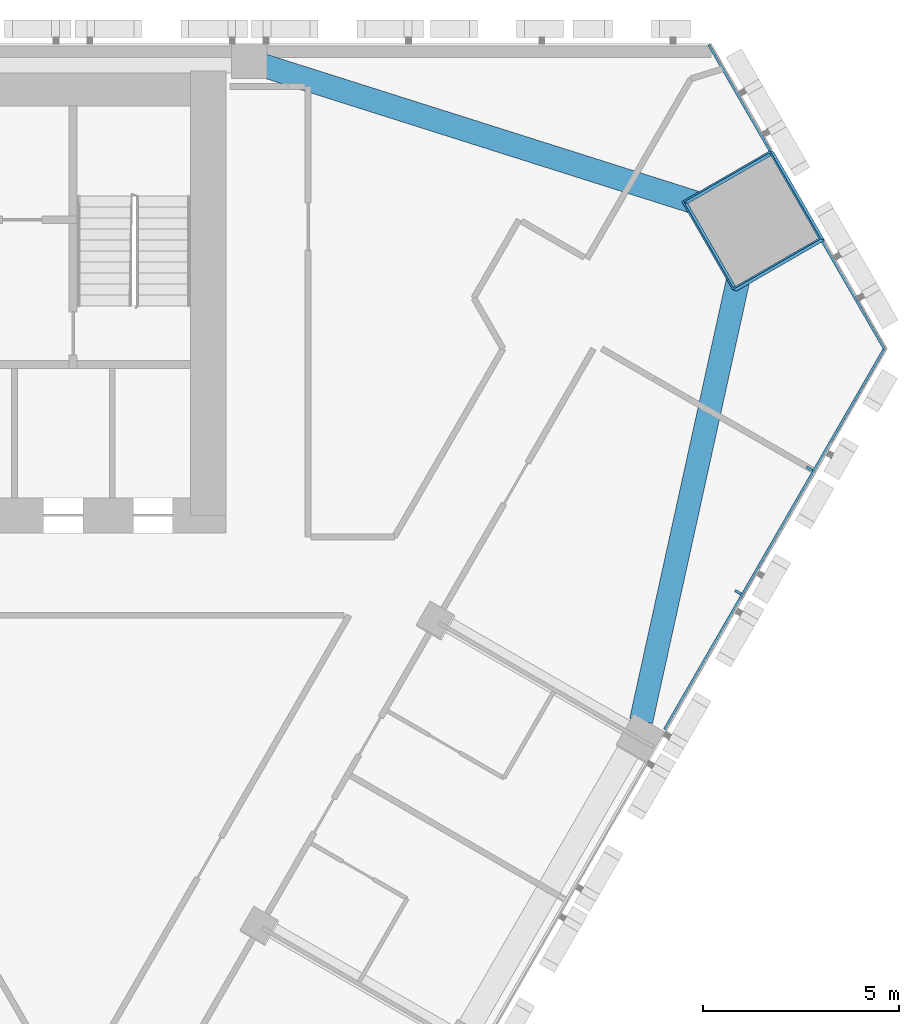
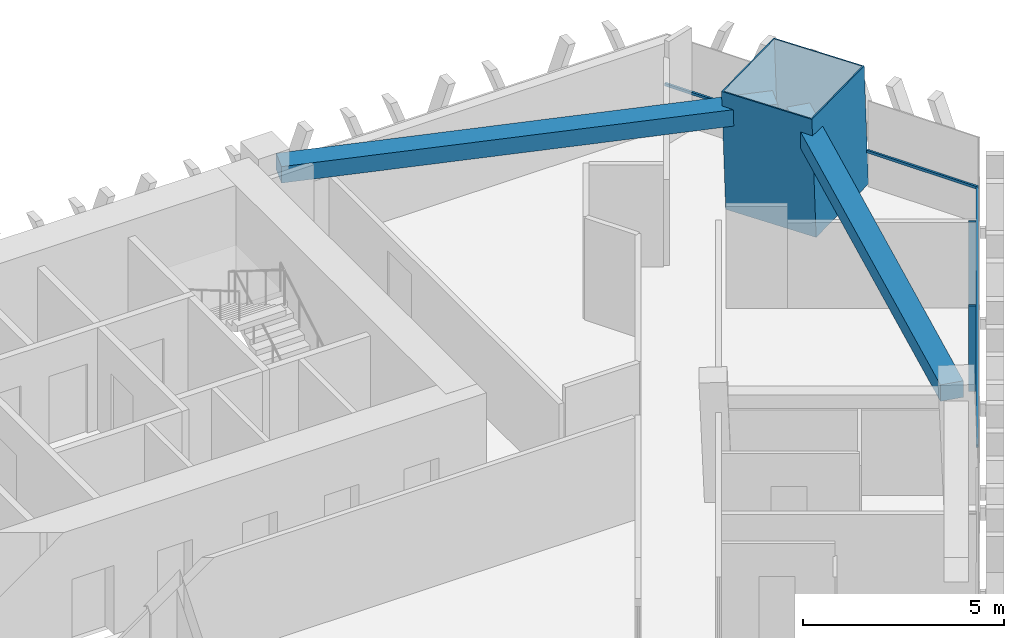
# One storey, part 7 of 16: 6 members, 2 beams, 2 elements without a shape of their own.
"""IFC4 building model written with IfcOpenShell, lengths in metres."""

from ifc_helpers import new_model, si_unit, direction, frame, origin, origin_2d, place, context, subcontext, project, spatial, rectangle, hollow_rectangle, extrude, material, layer, layer_set, material_profile, profile_set, type_object, element, aggregate, save


model = new_model("IFC4")

# Units and contexts
model_context = context("Model", 3, precision=1e-05, world=origin(), true_north=direction((0.0, 1.0)))
body_context = subcontext(model_context, "Body", "Model", "MODEL_VIEW")
ifc_project = project(units=[si_unit("LENGTHUNIT", "METRE"), si_unit("AREAUNIT", "SQUARE_METRE"), si_unit("VOLUMEUNIT", "CUBIC_METRE"), si_unit("PLANEANGLEUNIT", "RADIAN"), si_unit("MASSUNIT", "GRAM", prefix="KILO")], contexts=[model_context])

# Site, building, storey
site_placement = place(None, origin())
site = spatial("IfcSite", under=ifc_project, at=site_placement, CompositionType="ELEMENT")
building_placement = place(site_placement, origin())
building = spatial("IfcBuilding", under=site, at=building_placement, Name="Altiplano Prism Tower", CompositionType="ELEMENT")
storey_placement = place(building_placement, frame((0.0, 0.0, 73.800048828125)))
storey = spatial("IfcBuildingStorey", under=building, at=storey_placement, Name="L18", CompositionType="ELEMENT", Elevation=73.800048828125)

# Curtain wall, members
ifc_material_1 = material(Name="Aluminium and glass", Category="aluminium")
ifc_layer = layer(ifc_material_1, 0.280029296875)
ifc_layer_set = layer_set([ifc_layer], Name="Aluminium and glass")
curtain_wall_type = type_object("IfcCurtainWallType", Name="CW1 typical co-living unitised curtain wall", PredefinedType="NOTDEFINED", material=ifc_layer_set)
curtain_wall_1_placement = place(storey_placement, origin())
curtain_wall_1 = element("IfcCurtainWall", 1, at=curtain_wall_1_placement, inside=storey, type_object=curtain_wall_type, Name="CW1 curtain wall south-east face L18", PredefinedType="NOTDEFINED")
ifc_material_2 = material(Name="Aluminium", Category="aluminium")
ifc_material_profile_1 = material_profile(ifc_material_2, rectangle(XDim=0.179931640625, YDim=0.06494140625, at=origin_2d()), Name="CW1 mullion 65 x 180")
ifc_profile_set_1 = profile_set([ifc_material_profile_1], Name="Aluminium")
member_type_1 = type_object("IfcMemberType", Name="CW1 mullion 65 x 180", PredefinedType="MULLION", material=ifc_profile_set_1)
member_1_placement = place(storey_placement, frame((110.982177734375, 90.984619140625, 0.0), z_axis=(0.0, 0.0, 1.0), x_axis=(-0.866025402161, 0.500000002811, 0.0)))
member_1 = element("IfcMember", 2, at=member_1_placement, type_object=member_type_1, Name="CW1 mullion", PredefinedType="MULLION", context=body_context, shape_type="SweptSolid", body=[
    extrude(rectangle(XDim=0.179931640625, YDim=0.06494140625, at=origin_2d()), origin(), (0.0, 0.0, 1.0), 2.599853515625),
])
member_2_placement = place(storey_placement, frame((112.8056640625, 94.142822265625, 0.0), z_axis=(0.0, 0.0, 1.0), x_axis=(-0.866025402161, 0.500000002811, 0.0)))
member_2 = element("IfcMember", 3, at=member_2_placement, type_object=member_type_1, Name="CW1 mullion", PredefinedType="MULLION", context=body_context, shape_type="SweptSolid", body=[
    extrude(rectangle(XDim=0.179931640625, YDim=0.06494140625, at=origin_2d()), origin(), (0.0, 0.0, 1.0), 2.599853515625),
])
ifc_material_profile_2 = material_profile(ifc_material_2, rectangle(XDim=0.06005859375, YDim=0.080078125, at=origin_2d()), Name="CW1 transom 80 x 60")
ifc_profile_set_2 = profile_set([ifc_material_profile_2], Name="Aluminium")
member_type_2 = type_object("IfcMemberType", Name="CW1 transom 80 x 60", PredefinedType="USERDEFINED", material=ifc_profile_set_2)
member_3_placement = place(storey_placement, frame((109.100830078125, 87.486083984375, 1.099853515625), z_axis=(0.499996997512, 0.866027137265, 0.0), x_axis=(-0.866027137265, 0.499996997512, 0.0)))
member_3 = element("IfcMember", 4, at=member_3_placement, type_object=member_type_2, Name="CW1 transom", ObjectType="TRANSOM", PredefinedType="USERDEFINED", context=body_context, shape_type="SweptSolid", body=[
    extrude(rectangle(XDim=0.06005859375, YDim=0.080078125, at=origin_2d()), origin(), (0.0, 0.0, 1.0), 11.26416015625),
])
aggregate(curtain_wall_1, [member_1, member_2, member_3])

curtain_wall_2_placement = place(storey_placement, origin())
curtain_wall_2 = element("IfcCurtainWall", 5, at=curtain_wall_2_placement, inside=storey, type_object=curtain_wall_type, Name="CW1 curtain wall north-east chamfer L18", PredefinedType="NOTDEFINED")
member_4_placement = place(storey_placement, frame((114.73291015625, 97.17138671875, 1.099853515625), z_axis=(-0.50000426018, 0.866022944154, 0.0), x_axis=(-0.866022944154, -0.50000426018, 0.0)))
member_4 = element("IfcMember", 6, at=member_4_placement, type_object=member_type_2, Name="CW1 transom", ObjectType="TRANSOM", PredefinedType="USERDEFINED", context=body_context, shape_type="SweptSolid", body=[
    extrude(rectangle(XDim=0.06005859375, YDim=0.080078125, at=origin_2d()), origin(), (0.0, 0.0, 1.0), 3.19970703125),
])
member_5_placement = place(storey_placement, frame((111.793212890625, 102.26318359375, 1.099853515625), z_axis=(-0.499968574831, 0.866043546354, 0.0), x_axis=(-0.866043546354, -0.499968574831, 0.0)))
member_5 = element("IfcMember", 7, at=member_5_placement, type_object=member_type_2, Name="CW1 transom", ObjectType="TRANSOM", PredefinedType="USERDEFINED", context=body_context, shape_type="SweptSolid", body=[
    extrude(rectangle(XDim=0.06005859375, YDim=0.080078125, at=origin_2d()), origin(), (0.0, 0.0, 1.0), 3.119873046875),
])
aggregate(curtain_wall_2, [member_4, member_5])

# Beams
ifc_material_3 = material(Name="Concrete C60/75", Category="concrete")
ifc_material_profile_3 = material_profile(ifc_material_3, rectangle(XDim=0.60009765625, YDim=0.5, at=origin_2d()), Name="Edge beam 600x500")
ifc_profile_set_3 = profile_set([ifc_material_profile_3], Name="Concrete C60/75")
beam_type = type_object("IfcBeamType", Name="Edge beam 600x500", PredefinedType="SPANDREL", material=ifc_profile_set_3)
beam_1_placement = place(storey_placement, frame((108.502685546875, 87.699951171875, 2.849853515625), z_axis=(0.214860677472, 0.976644709849, 0.0), x_axis=(-0.976644709849, 0.214860677472, 0.0)))
element("IfcBeam", 8, at=beam_1_placement, inside=storey, type_object=beam_type, Name="Edge beam P24-M2 L19", PredefinedType="SPANDREL", context=body_context, shape_type="SweptSolid", body=[
    extrude(rectangle(XDim=0.60009765625, YDim=0.5, at=origin_2d()), origin(), (0.0, 0.0, 1.0), 12.64208984375),
])
beam_2_placement = place(storey_placement, frame((110.88671875, 100.62255859375, 2.849853515625), z_axis=(-0.953230909103, 0.302243004768, 0.0), x_axis=(-0.302243004768, -0.953230909103, 0.0)))
element("IfcBeam", 9, at=beam_2_placement, inside=storey, type_object=beam_type, Name="Edge beam M2-P01 L19", PredefinedType="SPANDREL", context=body_context, shape_type="SweptSolid", body=[
    extrude(rectangle(XDim=0.60009765625, YDim=0.5, at=origin_2d()), origin(), (0.0, 0.0, 1.0), 12.642333984375),
])

# Member
ifc_material_4 = material(Name="Steel S460", Category="steel")
ifc_material_profile_4 = material_profile(ifc_material_4, hollow_rectangle(XDim=2.60009765625, YDim=2.60009765625, WallThickness=0.0400390625, at=origin_2d()), Name="Mega column tube 2600")
ifc_profile_set_4 = profile_set([ifc_material_profile_4], Name="Steel S460")
member_type_3 = type_object("IfcMemberType", Name="Mega column tube 2600", PredefinedType="POST", material=ifc_profile_set_4)
member_6_placement = place(storey_placement, frame((111.41796875, 100.453125, 0.0), z_axis=(-0.028403721265, 0.009287135593, 0.999553389135), x_axis=(0.498883816319, -0.866383823183, 0.022226307414)))
element("IfcMember", 10, at=member_6_placement, inside=storey, type_object=member_type_3, Name="Mega column tube M2 L18", PredefinedType="POST", context=body_context, shape_type="SweptSolid", body=[
    extrude(hollow_rectangle(XDim=2.60009765625, YDim=2.60009765625, WallThickness=0.0400390625, at=origin_2d()), origin(), (0.0, 0.0, 1.0), 3.6015625),
])

save(model, "model.ifc")
